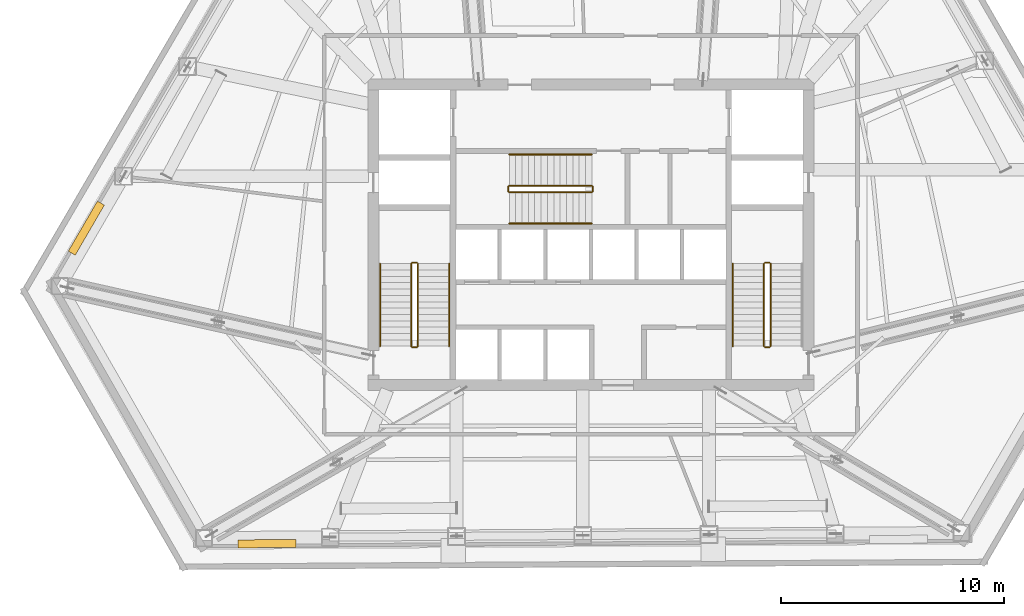
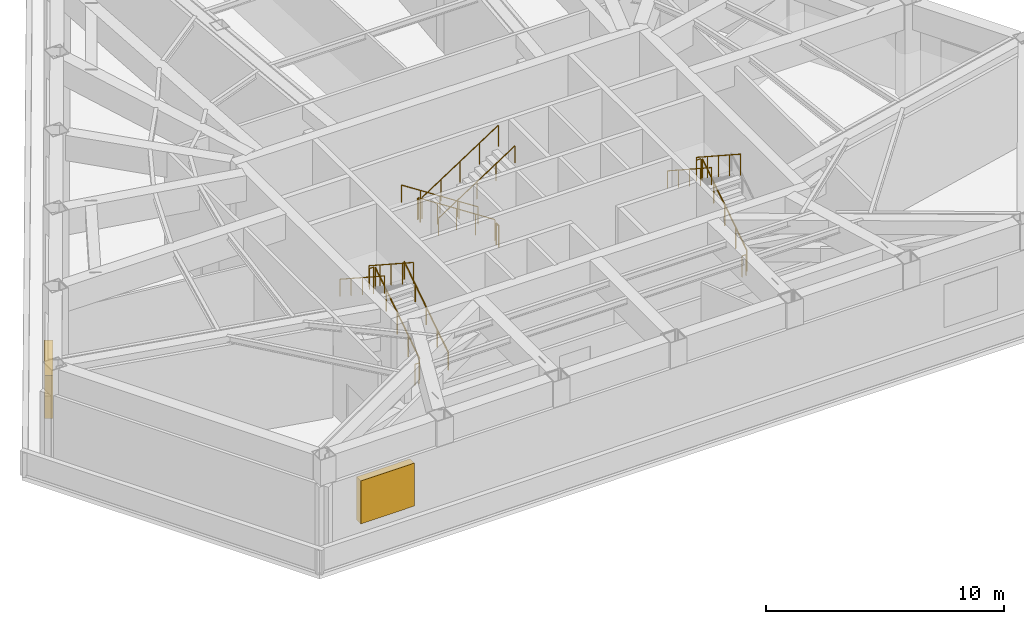
# One storey, part 11 of 12: 17 railings, 2 shading devices.
"""IFC4 building model written with IfcOpenShell, lengths in metres."""

from ifc_helpers import new_model, si_unit, direction, frame, origin, origin_2d, place, context, subcontext, project, spatial, rectangle, circle, extrude, material, layer, layer_set, type_object, element, save


model = new_model("IFC4")

# Units and contexts
model_context = context("Model", 3, precision=1e-05, world=origin(), true_north=direction((0.0, 1.0)))
body_context = subcontext(model_context, "Body", "Model", "MODEL_VIEW")
ifc_project = project(units=[si_unit("LENGTHUNIT", "METRE"), si_unit("AREAUNIT", "SQUARE_METRE"), si_unit("VOLUMEUNIT", "CUBIC_METRE"), si_unit("PLANEANGLEUNIT", "RADIAN"), si_unit("MASSUNIT", "GRAM", prefix="KILO")], contexts=[model_context])

# Site, building, storey
site_placement = place(None, origin())
site = spatial("IfcSite", under=ifc_project, at=site_placement, CompositionType="ELEMENT")
building_placement = place(site_placement, origin())
building = spatial("IfcBuilding", under=site, at=building_placement, Name="Kavelnor Concourse Tower", CompositionType="ELEMENT")
storey_placement = place(building_placement, frame((0.0, 0.0, 75.300048828125)))
storey = spatial("IfcBuildingStorey", under=building, at=storey_placement, Name="L19", CompositionType="ELEMENT", Elevation=75.300048828125)

# Railings
ifc_material_1 = material(Name="Steel Grade 350", Category="steel")
railing_type_1 = type_object("IfcRailingType", Name="RLG-GUARD-1100", PredefinedType="GUARDRAIL", material=ifc_material_1)
railing_1_placement = place(storey_placement, frame((30.22998046875, 11.10009765625, 0.185546875)))
element("IfcRailing", 1, at=railing_1_placement, inside=storey, type_object=railing_type_1, Name="L19 ST1 stair guard 1", PredefinedType="GUARDRAIL", context=body_context, shape_type="SweptSolid", body=[
    extrude(circle(Radius=0.02392578125, at=origin_2d()), frame((0.0, 0.0, 1.076171875), z_axis=(0.0, 0.837806046772, 0.545967973412), x_axis=(-1.0, 0.0, 0.0)), (0.0, 0.0, 1.0), 4.422119140625),
    extrude(circle(Radius=0.02099609375, at=origin_2d()), origin(), (0.0, 0.0, 1.0), 1.052001953125),
    extrude(circle(Radius=0.02099609375, at=origin_2d()), frame((0.0, 0.92626953125, 0.603515625)), (0.0, 0.0, 1.0), 1.052001953125),
    extrude(circle(Radius=0.02099609375, at=origin_2d()), frame((0.0, 1.8525390625, 1.20703125)), (0.0, 0.0, 1.0), 1.052001953125),
    extrude(circle(Radius=0.02099609375, at=origin_2d()), frame((0.0, 2.778564453125, 1.810791015625)), (0.0, 0.0, 1.0), 1.052001953125),
    extrude(circle(Radius=0.02099609375, at=origin_2d()), frame((0.0, 3.704833984375, 2.414306640625)), (0.0, 0.0, 1.0), 1.052001953125),
])
railing_2_placement = place(storey_placement, frame((30.179931640625, 14.85498046875, 2.599853515625)))
element("IfcRailing", 2, at=railing_2_placement, inside=storey, type_object=railing_type_1, Name="L19 ST1 stair guard 2", PredefinedType="GUARDRAIL", context=body_context, shape_type="SweptSolid", body=[
    extrude(circle(Radius=0.02392578125, at=origin_2d()), frame((0.0, 0.0, 1.076171875), z_axis=(-1.0, 0.0, 0.0), x_axis=(0.0, -1.0, 0.0)), (0.0, 0.0, 1.0), 0.199951171875),
    extrude(circle(Radius=0.02099609375, at=origin_2d()), origin(), (0.0, 0.0, 1.0), 1.052001953125),
    extrude(circle(Radius=0.02099609375, at=origin_2d()), frame((-0.199951171875, 0.0, 0.0)), (0.0, 0.0, 1.0), 1.052001953125),
])
railing_3_placement = place(storey_placement, frame((29.929931640625, 14.804931640625, 2.78564453125)))
element("IfcRailing", 3, at=railing_3_placement, inside=storey, type_object=railing_type_1, Name="L19 ST1 stair guard 3", PredefinedType="GUARDRAIL", context=body_context, shape_type="SweptSolid", body=[
    extrude(circle(Radius=0.02392578125, at=origin_2d()), frame((0.0, 0.0, 1.076171875), z_axis=(0.0, -0.837806046772, 0.545967973412), x_axis=(1.0, 0.0, 0.0)), (0.0, 0.0, 1.0), 4.422119140625),
    extrude(circle(Radius=0.02099609375, at=origin_2d()), origin(), (0.0, 0.0, 1.0), 1.052001953125),
    extrude(circle(Radius=0.02099609375, at=origin_2d()), frame((0.0, -0.92626953125, 0.603515625)), (0.0, 0.0, 1.0), 1.052001953125),
    extrude(circle(Radius=0.02099609375, at=origin_2d()), frame((0.0, -1.8525390625, 1.20703125)), (0.0, 0.0, 1.0), 1.052001953125),
    extrude(circle(Radius=0.02099609375, at=origin_2d()), frame((0.0, -2.778564453125, 1.810791015625)), (0.0, 0.0, 1.0), 1.052001953125),
    extrude(circle(Radius=0.02099609375, at=origin_2d()), frame((0.0, -3.704833984375, 2.414306640625)), (0.0, 0.0, 1.0), 1.052001953125),
])
railing_4_placement = place(storey_placement, frame((30.179931640625, 11.050048828125, 0.0)))
element("IfcRailing", 4, at=railing_4_placement, inside=storey, type_object=railing_type_1, Name="L19 ST1 stair guard 4", PredefinedType="GUARDRAIL", context=body_context, shape_type="SweptSolid", body=[
    extrude(circle(Radius=0.02392578125, at=origin_2d()), frame((0.0, 0.0, 1.076171875), z_axis=(-1.0, 0.0, 0.0), x_axis=(0.0, -1.0, 0.0)), (0.0, 0.0, 1.0), 0.199951171875),
    extrude(circle(Radius=0.02099609375, at=origin_2d()), origin(), (0.0, 0.0, 1.0), 1.052001953125),
    extrude(circle(Radius=0.02099609375, at=origin_2d()), frame((-0.199951171875, 0.0, 0.0)), (0.0, 0.0, 1.0), 1.052001953125),
])
railing_5_placement = place(storey_placement, frame((46.070068359375, 11.10009765625, 0.185546875)))
element("IfcRailing", 5, at=railing_5_placement, inside=storey, type_object=railing_type_1, Name="L19 ST2 stair guard 1", PredefinedType="GUARDRAIL", context=body_context, shape_type="SweptSolid", body=[
    extrude(circle(Radius=0.02392578125, at=origin_2d()), frame((0.0, 0.0, 1.076171875), z_axis=(0.0, 0.837806046772, 0.545967973412), x_axis=(-1.0, 0.0, 0.0)), (0.0, 0.0, 1.0), 4.422119140625),
    extrude(circle(Radius=0.02099609375, at=origin_2d()), origin(), (0.0, 0.0, 1.0), 1.052001953125),
    extrude(circle(Radius=0.02099609375, at=origin_2d()), frame((0.0, 0.92626953125, 0.603515625)), (0.0, 0.0, 1.0), 1.052001953125),
    extrude(circle(Radius=0.02099609375, at=origin_2d()), frame((0.0, 1.8525390625, 1.20703125)), (0.0, 0.0, 1.0), 1.052001953125),
    extrude(circle(Radius=0.02099609375, at=origin_2d()), frame((0.0, 2.778564453125, 1.810791015625)), (0.0, 0.0, 1.0), 1.052001953125),
    extrude(circle(Radius=0.02099609375, at=origin_2d()), frame((0.0, 3.704833984375, 2.414306640625)), (0.0, 0.0, 1.0), 1.052001953125),
])
railing_6_placement = place(storey_placement, frame((46.02001953125, 14.85498046875, 2.599853515625)))
element("IfcRailing", 6, at=railing_6_placement, inside=storey, type_object=railing_type_1, Name="L19 ST2 stair guard 2", PredefinedType="GUARDRAIL", context=body_context, shape_type="SweptSolid", body=[
    extrude(circle(Radius=0.02392578125, at=origin_2d()), frame((0.0, 0.0, 1.076171875), z_axis=(-1.0, 0.0, 0.0), x_axis=(0.0, -1.0, 0.0)), (0.0, 0.0, 1.0), 0.199951171875),
    extrude(circle(Radius=0.02099609375, at=origin_2d()), origin(), (0.0, 0.0, 1.0), 1.052001953125),
    extrude(circle(Radius=0.02099609375, at=origin_2d()), frame((-0.199951171875, 0.0, 0.0)), (0.0, 0.0, 1.0), 1.052001953125),
])
railing_7_placement = place(storey_placement, frame((45.77001953125, 14.804931640625, 2.78564453125)))
element("IfcRailing", 7, at=railing_7_placement, inside=storey, type_object=railing_type_1, Name="L19 ST2 stair guard 3", PredefinedType="GUARDRAIL", context=body_context, shape_type="SweptSolid", body=[
    extrude(circle(Radius=0.02392578125, at=origin_2d()), frame((0.0, 0.0, 1.076171875), z_axis=(0.0, -0.837806046772, 0.545967973412), x_axis=(1.0, 0.0, 0.0)), (0.0, 0.0, 1.0), 4.422119140625),
    extrude(circle(Radius=0.02099609375, at=origin_2d()), origin(), (0.0, 0.0, 1.0), 1.052001953125),
    extrude(circle(Radius=0.02099609375, at=origin_2d()), frame((0.0, -0.92626953125, 0.603515625)), (0.0, 0.0, 1.0), 1.052001953125),
    extrude(circle(Radius=0.02099609375, at=origin_2d()), frame((0.0, -1.8525390625, 1.20703125)), (0.0, 0.0, 1.0), 1.052001953125),
    extrude(circle(Radius=0.02099609375, at=origin_2d()), frame((0.0, -2.778564453125, 1.810791015625)), (0.0, 0.0, 1.0), 1.052001953125),
    extrude(circle(Radius=0.02099609375, at=origin_2d()), frame((0.0, -3.704833984375, 2.414306640625)), (0.0, 0.0, 1.0), 1.052001953125),
])
railing_8_placement = place(storey_placement, frame((46.02001953125, 11.050048828125, 0.0)))
element("IfcRailing", 8, at=railing_8_placement, inside=storey, type_object=railing_type_1, Name="L19 ST2 stair guard 4", PredefinedType="GUARDRAIL", context=body_context, shape_type="SweptSolid", body=[
    extrude(circle(Radius=0.02392578125, at=origin_2d()), frame((0.0, 0.0, 1.076171875), z_axis=(-1.0, 0.0, 0.0), x_axis=(0.0, -1.0, 0.0)), (0.0, 0.0, 1.0), 0.199951171875),
    extrude(circle(Radius=0.02099609375, at=origin_2d()), origin(), (0.0, 0.0, 1.0), 1.052001953125),
    extrude(circle(Radius=0.02099609375, at=origin_2d()), frame((-0.199951171875, 0.0, 0.0)), (0.0, 0.0, 1.0), 1.052001953125),
])
railing_9_placement = place(storey_placement, frame((38.0400390625, 18.31005859375, 0.185546875)))
element("IfcRailing", 9, at=railing_9_placement, inside=storey, type_object=railing_type_1, Name="L19 ST3 stair guard 1", PredefinedType="GUARDRAIL", context=body_context, shape_type="SweptSolid", body=[
    extrude(circle(Radius=0.02392578125, at=origin_2d()), frame((0.0, 0.0, 1.076171875), z_axis=(-0.837822502572, 0.0, 0.545942720607), x_axis=(0.0, -1.0, 0.0)), (0.0, 0.0, 1.0), 4.42236328125),
    extrude(circle(Radius=0.02099609375, at=origin_2d()), origin(), (0.0, 0.0, 1.0), 1.052001953125),
    extrude(circle(Radius=0.02099609375, at=origin_2d()), frame((-0.92626953125, 0.0, 0.603515625)), (0.0, 0.0, 1.0), 1.052001953125),
    extrude(circle(Radius=0.02099609375, at=origin_2d()), frame((-1.8525390625, 0.0, 1.20703125)), (0.0, 0.0, 1.0), 1.052001953125),
    extrude(circle(Radius=0.02099609375, at=origin_2d()), frame((-2.77880859375, 0.0, 1.810791015625)), (0.0, 0.0, 1.0), 1.052001953125),
    extrude(circle(Radius=0.02099609375, at=origin_2d()), frame((-3.705078125, 0.0, 2.414306640625)), (0.0, 0.0, 1.0), 1.052001953125),
])
railing_10_placement = place(storey_placement, frame((34.284912109375, 18.260009765625, 2.599853515625)))
element("IfcRailing", 10, at=railing_10_placement, inside=storey, type_object=railing_type_1, Name="L19 ST3 stair guard 2", PredefinedType="GUARDRAIL", context=body_context, shape_type="SweptSolid", body=[
    extrude(circle(Radius=0.02392578125, at=origin_2d()), frame((0.0, 0.0, 1.076171875), z_axis=(0.0, -1.0, 0.0), x_axis=(1.0, 0.0, 0.0)), (0.0, 0.0, 1.0), 0.199951171875),
    extrude(circle(Radius=0.02099609375, at=origin_2d()), origin(), (0.0, 0.0, 1.0), 1.052001953125),
    extrude(circle(Radius=0.02099609375, at=origin_2d()), frame((0.0, -0.199951171875, 0.0)), (0.0, 0.0, 1.0), 1.052001953125),
])
railing_11_placement = place(storey_placement, frame((34.3349609375, 18.010009765625, 2.78564453125)))
element("IfcRailing", 11, at=railing_11_placement, inside=storey, type_object=railing_type_1, Name="L19 ST3 stair guard 3", PredefinedType="GUARDRAIL", context=body_context, shape_type="SweptSolid", body=[
    extrude(circle(Radius=0.02392578125, at=origin_2d()), frame((0.0, 0.0, 1.076171875), z_axis=(0.837822502572, 0.0, 0.545942720607), x_axis=(0.0, 1.0, 0.0)), (0.0, 0.0, 1.0), 4.42236328125),
    extrude(circle(Radius=0.02099609375, at=origin_2d()), origin(), (0.0, 0.0, 1.0), 1.052001953125),
    extrude(circle(Radius=0.02099609375, at=origin_2d()), frame((0.92626953125, 0.0, 0.603515625)), (0.0, 0.0, 1.0), 1.052001953125),
    extrude(circle(Radius=0.02099609375, at=origin_2d()), frame((1.8525390625, 0.0, 1.20703125)), (0.0, 0.0, 1.0), 1.052001953125),
    extrude(circle(Radius=0.02099609375, at=origin_2d()), frame((2.77880859375, 0.0, 1.810791015625)), (0.0, 0.0, 1.0), 1.052001953125),
    extrude(circle(Radius=0.02099609375, at=origin_2d()), frame((3.705078125, 0.0, 2.414306640625)), (0.0, 0.0, 1.0), 1.052001953125),
])
railing_12_placement = place(storey_placement, frame((38.090087890625, 18.260009765625, 0.0)))
element("IfcRailing", 12, at=railing_12_placement, inside=storey, type_object=railing_type_1, Name="L19 ST3 stair guard 4", PredefinedType="GUARDRAIL", context=body_context, shape_type="SweptSolid", body=[
    extrude(circle(Radius=0.02392578125, at=origin_2d()), frame((0.0, 0.0, 1.076171875), z_axis=(0.0, -1.0, 0.0), x_axis=(1.0, 0.0, 0.0)), (0.0, 0.0, 1.0), 0.199951171875),
    extrude(circle(Radius=0.02099609375, at=origin_2d()), origin(), (0.0, 0.0, 1.0), 1.052001953125),
    extrude(circle(Radius=0.02099609375, at=origin_2d()), frame((0.0, -0.199951171875, 0.0)), (0.0, 0.0, 1.0), 1.052001953125),
])
railing_type_2 = type_object("IfcRailingType", Name="RLG-HANDRAIL-900", PredefinedType="HANDRAIL", material=ifc_material_1)
railing_13_placement = place(storey_placement, frame((31.6298828125, 11.10009765625, 0.185546875)))
element("IfcRailing", 13, at=railing_13_placement, inside=storey, type_object=railing_type_2, Name="L19 ST1 stair handrail 1", PredefinedType="HANDRAIL", context=body_context, shape_type="SweptSolid", body=[
    extrude(circle(Radius=0.02392578125, at=origin_2d()), frame((0.0, 0.0, 0.8759765625), z_axis=(0.0, 0.837806046772, 0.545967973412), x_axis=(-1.0, 0.0, 0.0)), (0.0, 0.0, 1.0), 4.422119140625),
    extrude(circle(Radius=0.02099609375, at=origin_2d()), origin(), (0.0, 0.0, 1.0), 0.851806640625),
    extrude(circle(Radius=0.02099609375, at=origin_2d()), frame((0.0, 0.92626953125, 0.603515625)), (0.0, 0.0, 1.0), 0.851806640625),
    extrude(circle(Radius=0.02099609375, at=origin_2d()), frame((0.0, 1.8525390625, 1.20703125)), (0.0, 0.0, 1.0), 0.851806640625),
    extrude(circle(Radius=0.02099609375, at=origin_2d()), frame((0.0, 2.778564453125, 1.810791015625)), (0.0, 0.0, 1.0), 0.851806640625),
    extrude(circle(Radius=0.02099609375, at=origin_2d()), frame((0.0, 3.704833984375, 2.414306640625)), (0.0, 0.0, 1.0), 0.851806640625),
])
for number, where, name in (
    (14, (28.530029296875, 14.804931640625, 2.78564453125), "L19 ST1 stair handrail 2"),
    (15, (44.3701171875, 14.804931640625, 2.78564453125), "L19 ST2 stair handrail 2"),
):
    element("IfcRailing", number, at=place(storey_placement, frame(where)), inside=storey, type_object=railing_type_2, Name=name, PredefinedType="HANDRAIL", context=body_context, shape_type="SweptSolid", body=[
        extrude(circle(Radius=0.02392578125, at=origin_2d()), frame((0.0, 0.0, 0.8759765625), z_axis=(0.0, -0.837806046772, 0.545967973412), x_axis=(1.0, 0.0, 0.0)), (0.0, 0.0, 1.0), 4.422119140625),
        extrude(circle(Radius=0.02099609375, at=origin_2d()), origin(), (0.0, 0.0, 1.0), 0.851806640625),
        extrude(circle(Radius=0.02099609375, at=origin_2d()), frame((0.0, -0.92626953125, 0.603515625)), (0.0, 0.0, 1.0), 0.851806640625),
        extrude(circle(Radius=0.02099609375, at=origin_2d()), frame((0.0, -1.8525390625, 1.20703125)), (0.0, 0.0, 1.0), 0.851806640625),
        extrude(circle(Radius=0.02099609375, at=origin_2d()), frame((0.0, -2.778564453125, 1.810791015625)), (0.0, 0.0, 1.0), 0.851806640625),
        extrude(circle(Radius=0.02099609375, at=origin_2d()), frame((0.0, -3.704833984375, 2.414306640625)), (0.0, 0.0, 1.0), 0.851806640625),
    ])
railing_14_placement = place(storey_placement, frame((38.0400390625, 19.7099609375, 0.185546875)))
element("IfcRailing", 16, at=railing_14_placement, inside=storey, type_object=railing_type_2, Name="L19 ST3 stair handrail 1", PredefinedType="HANDRAIL", context=body_context, shape_type="SweptSolid", body=[
    extrude(circle(Radius=0.02392578125, at=origin_2d()), frame((0.0, 0.0, 0.8759765625), z_axis=(-0.837822502572, 0.0, 0.545942720607), x_axis=(0.0, -1.0, 0.0)), (0.0, 0.0, 1.0), 4.42236328125),
    extrude(circle(Radius=0.02099609375, at=origin_2d()), origin(), (0.0, 0.0, 1.0), 0.851806640625),
    extrude(circle(Radius=0.02099609375, at=origin_2d()), frame((-0.92626953125, 0.0, 0.603515625)), (0.0, 0.0, 1.0), 0.851806640625),
    extrude(circle(Radius=0.02099609375, at=origin_2d()), frame((-1.8525390625, 0.0, 1.20703125)), (0.0, 0.0, 1.0), 0.851806640625),
    extrude(circle(Radius=0.02099609375, at=origin_2d()), frame((-2.77880859375, 0.0, 1.810791015625)), (0.0, 0.0, 1.0), 0.851806640625),
    extrude(circle(Radius=0.02099609375, at=origin_2d()), frame((-3.705078125, 0.0, 2.414306640625)), (0.0, 0.0, 1.0), 0.851806640625),
])
railing_15_placement = place(storey_placement, frame((34.3349609375, 16.610107421875, 2.78564453125)))
element("IfcRailing", 17, at=railing_15_placement, inside=storey, type_object=railing_type_2, Name="L19 ST3 stair handrail 2", PredefinedType="HANDRAIL", context=body_context, shape_type="SweptSolid", body=[
    extrude(circle(Radius=0.02392578125, at=origin_2d()), frame((0.0, 0.0, 0.8759765625), z_axis=(0.837822502572, 0.0, 0.545942720607), x_axis=(0.0, 1.0, 0.0)), (0.0, 0.0, 1.0), 4.42236328125),
    extrude(circle(Radius=0.02099609375, at=origin_2d()), origin(), (0.0, 0.0, 1.0), 0.851806640625),
    extrude(circle(Radius=0.02099609375, at=origin_2d()), frame((0.92626953125, 0.0, 0.603515625)), (0.0, 0.0, 1.0), 0.851806640625),
    extrude(circle(Radius=0.02099609375, at=origin_2d()), frame((1.8525390625, 0.0, 1.20703125)), (0.0, 0.0, 1.0), 0.851806640625),
    extrude(circle(Radius=0.02099609375, at=origin_2d()), frame((2.77880859375, 0.0, 1.810791015625)), (0.0, 0.0, 1.0), 0.851806640625),
    extrude(circle(Radius=0.02099609375, at=origin_2d()), frame((3.705078125, 0.0, 2.414306640625)), (0.0, 0.0, 1.0), 0.851806640625),
])

# Shading devices
ifc_material_2 = material(Name="Architectural bronze-anodised aluminium", Category="aluminium")
ifc_layer = layer(ifc_material_2, 0.074951171875, Name="Architectural bronze-anodised aluminium")
ifc_layer_set = layer_set([ifc_layer], Name="Architectural bronze-anodised aluminium")
shading_device_type = type_object("IfcShadingDeviceType", Name="SHD-PLANT-LOUVRE", PredefinedType="USERDEFINED", material=ifc_layer_set)
for number, where, z_axis, x_axis, name in (
    (18, (15.339111328125, 16.40185546875, 1.10009765625), (0.0, 0.0, 1.0), (0.50301994663, 0.864274801954, 0.0), "L19 Plant Acoustic Intake Louvre F0-B5"),
    (19, (23.45751953125, 2.23193359375, 1.10009765625), (0.0, 0.0, 1.0), (-0.999976833935, -0.006806731521, 0.0), "L19 Plant Acoustic Intake Louvre F1-B0"),
):
    element("IfcShadingDevice", number, at=place(storey_placement, frame(where, z_axis=z_axis, x_axis=x_axis)), inside=storey, type_object=shading_device_type, Name=name, ObjectType="LOUVRE", PredefinedType="USERDEFINED", context=body_context, shape_type="SweptSolid", body=[
        extrude(rectangle(XDim=2.60009765625, YDim=0.360107421875, at=origin_2d()), origin(), (0.0, 0.0, 1.0), 2.199951171875),
    ])

save(model, "model.ifc")
